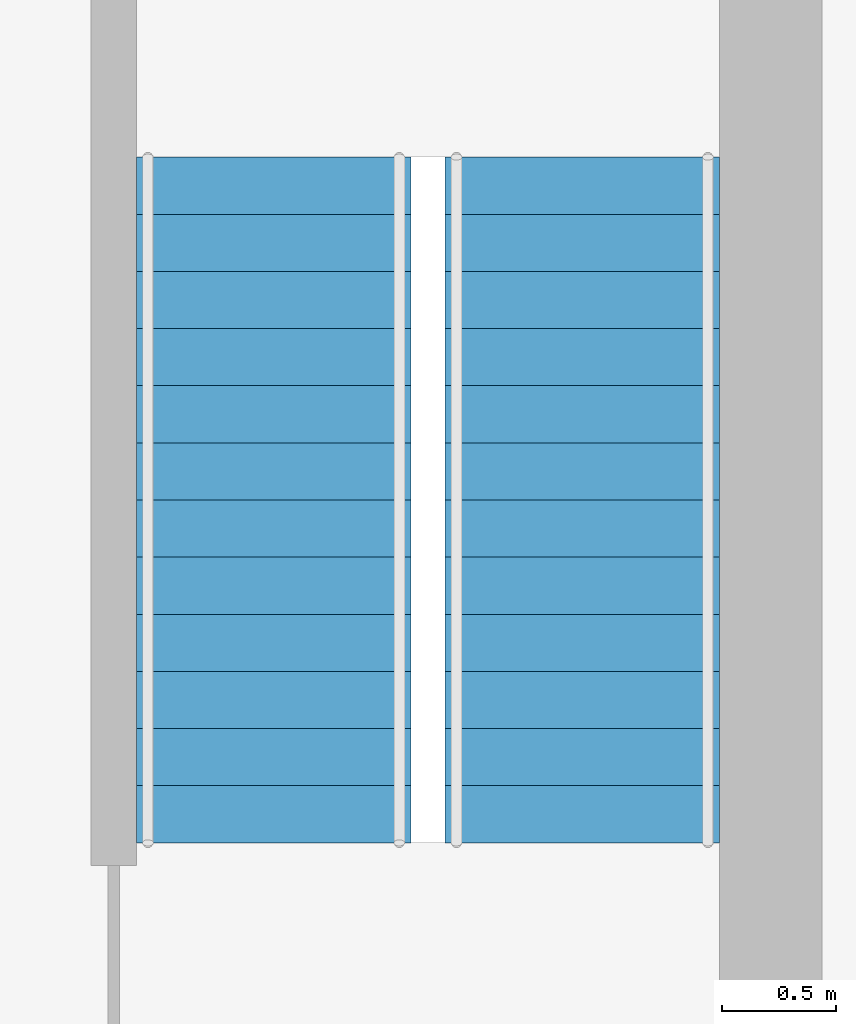
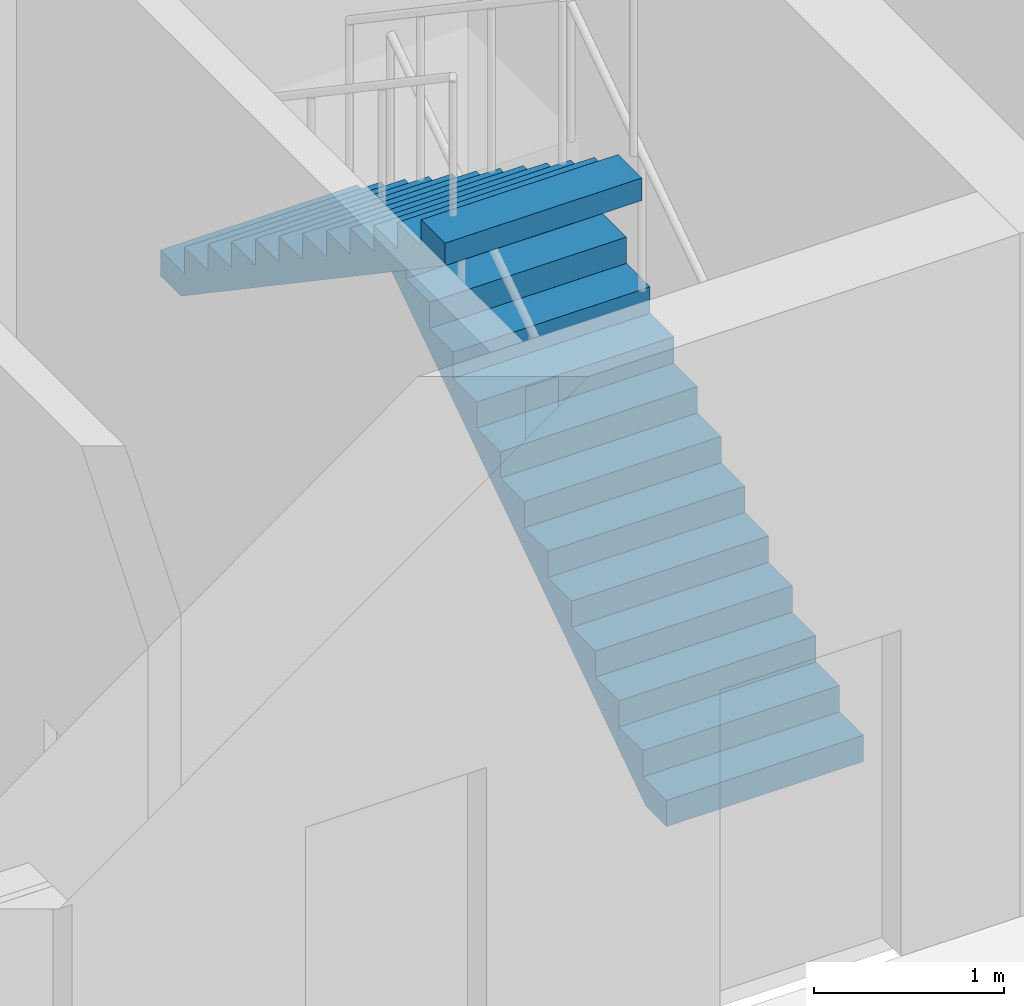
# One storey, part 10 of 13: 2 stair flights, 1 element without a shape of its own.
"""IFC4 building model written with IfcOpenShell, lengths in metres."""

import ifcopenshell
import ifcopenshell.guid

model = None  # the IFC model being written
_history = None  # IfcOwnerHistory: only IFC2X3 demands one
_inside = {}  # id of a spatial element -> (the spatial element, [elements in it])
_under = {}  # id of a project, library or spatial element -> (it, [spatial elements below it])
_declared = {}  # id of a project -> (the project, [libraries it declares])
_typed = {}  # id of a type object -> (the type object, [elements of that type])
_made_of = {}  # id of a material, layer set ... -> (it, [elements and type objects made of it])


def new_model(schema):
    """Start an empty IFC model of exactly this schema.

    Asked for "IFC4X3", IfcOpenShell would pick the latest addendum, in which some entities
    have other attributes; the version numbers below select the first issue.
    IFC2X3 requires an IfcOwnerHistory on every rooted entity: one is made here for all.
    """
    global model, _history
    if schema == "IFC4X3":
        model = ifcopenshell.file(schema_version=(4, 3, 0, 0))
    else:
        model = ifcopenshell.file(schema=schema)
    _inside.clear()
    _under.clear()
    _declared.clear()
    _typed.clear()
    _made_of.clear()
    _history = None
    if model.schema == "IFC2X3":
        org = make("IfcOrganization", Name="unknown")
        user = make(
            "IfcPersonAndOrganization",
            ThePerson=make("IfcPerson", FamilyName="unknown"),
            TheOrganization=org,
        )
        app = make(
            "IfcApplication",
            ApplicationDeveloper=org,
            Version="unknown",
            ApplicationFullName="unknown",
            ApplicationIdentifier="unknown",
        )
        _history = make(
            "IfcOwnerHistory",
            OwningUser=user,
            OwningApplication=app,
            ChangeAction="ADDED",
            CreationDate=0,
        )
    return model


def make(cls, **values):
    """One entity of the class cls with the attributes given. An attribute that is None is left unset."""
    return model.create_entity(
        cls, **{name: value for name, value in values.items() if value is not None}
    )


def rooted(cls, **values):
    """An entity with a GlobalId (a new one), such as an element, a storey or a relation."""
    return make(cls, GlobalId=ifcopenshell.guid.new(), OwnerHistory=_history, **values)


def si_unit(unit_type, name, prefix=None):
    """IfcSIUnit, for example si_unit("LENGTHUNIT", "METRE", prefix="MILLI")."""
    return make("IfcSIUnit", UnitType=unit_type, Prefix=prefix, Name=name)


def assignment(units):
    """IfcUnitAssignment: the units of a project."""
    return None if units is None else make("IfcUnitAssignment", Units=units)


def point(xyz):
    """IfcCartesianPoint."""
    return None if xyz is None else make("IfcCartesianPoint", Coordinates=xyz)


def direction(xyz):
    """IfcDirection."""
    return None if xyz is None else make("IfcDirection", DirectionRatios=xyz)


def frame(location, z_axis=None, x_axis=None):
    """IfcAxis2Placement3D, a coordinate frame: its origin and axes. An axis left out is left unset."""
    return make(
        "IfcAxis2Placement3D",
        Location=point(location),
        Axis=direction(z_axis),
        RefDirection=direction(x_axis),
    )


def origin():
    """The frame at (0, 0, 0) with its axes left unset."""
    return frame((0.0, 0.0, 0.0))


def place(relative_to, where):
    """IfcLocalPlacement: puts the frame where relative to a parent placement (None: the world)."""
    return make(
        "IfcLocalPlacement", PlacementRelTo=relative_to, RelativePlacement=where
    )


def context(
    kind, dimensions, precision=None, world=None, true_north=None, identifier=None
):
    """IfcGeometricRepresentationContext, for example the 3D "Model" context."""
    return make(
        "IfcGeometricRepresentationContext",
        ContextIdentifier=identifier,
        ContextType=kind,
        CoordinateSpaceDimension=dimensions,
        Precision=precision,
        WorldCoordinateSystem=world,
        TrueNorth=true_north,
    )


def subcontext(parent, identifier, kind, view, scale=None):
    """IfcGeometricRepresentationSubContext, for example "Body" below "Model"."""
    return make(
        "IfcGeometricRepresentationSubContext",
        ContextIdentifier=identifier,
        ContextType=kind,
        ParentContext=parent,
        TargetScale=scale,
        TargetView=view,
    )


def project(units=None, contexts=None):
    """IfcProject with its units and contexts."""
    return rooted(
        "IfcProject",
        Name="project",
        RepresentationContexts=contexts,
        UnitsInContext=assignment(units),
    )


def spatial(cls, under=None, at=None, **own):
    """A site, building, storey or space (cls), placed at a placement, below another one or the project."""
    s = rooted(cls, ObjectPlacement=at, **own)
    if under is not None:
        _under.setdefault(under.id(), (under, []))[1].append(s)
    return s


def polyline(points):
    """IfcPolyline through the points."""
    return make("IfcPolyline", Points=[point(p) for p in points])


def outline(outer, holes=None, kind="AREA"):
    """IfcArbitraryClosedProfileDef: a profile drawn as a closed curve; with holes, ...WithVoids."""
    if holes is None:
        return make("IfcArbitraryClosedProfileDef", ProfileType=kind, OuterCurve=outer)
    return make(
        "IfcArbitraryProfileDefWithVoids",
        ProfileType=kind,
        OuterCurve=outer,
        InnerCurves=holes,
    )


def extrude(swept, where, along, depth):
    """IfcExtrudedAreaSolid: the profile swept, set in the frame where, extruded along a direction by depth."""
    return make(
        "IfcExtrudedAreaSolid",
        SweptArea=swept,
        Position=where,
        ExtrudedDirection=direction(along),
        Depth=depth,
    )


def shape(context_of_items, identifier, shape_type, items):
    """IfcShapeRepresentation: the items that make up one representation, for example the "Body"."""
    return make(
        "IfcShapeRepresentation",
        ContextOfItems=context_of_items,
        RepresentationIdentifier=identifier,
        RepresentationType=shape_type,
        Items=items,
    )


def material(Name=None, Category=None):
    """IfcMaterial."""
    return make("IfcMaterial", Name=Name, Category=Category)


def made_of(thing, what):
    """Note that an element or type object is made of a material, layer set ...; save() writes the relation."""
    if what is not None:
        _made_of.setdefault(what.id(), (what, []))[1].append(thing)
    return thing


def type_object(cls, material=None, **own):
    """A type object (cls), such as IfcWallType, which elements share."""
    return made_of(rooted(cls, **own), material)


def element(
    cls,
    number,
    at=None,
    inside=None,
    cuts=None,
    type_object=None,
    material=None,
    context=None,
    identifier="Body",
    shape_type=None,
    held_by="IfcProductDefinitionShape",
    body=None,
    shapes=None,
    **own,
):
    """One element of the class cls, such as IfcWall. Its Tag is "e" and its number.

    at: its placement. inside: the storey or other place that contains it. cuts: it is an
    opening in that element (IfcRelVoidsElement). A single representation is given by context,
    identifier, shape_type and body (its items); several are given by shapes. held_by: the class
    of the entity that holds the representations. save() writes the other relations.
    """
    e = rooted(cls, Tag="e%d" % number, ObjectPlacement=at, **own)
    if body is not None:
        shapes = [shape(context, identifier, shape_type, body)]
    if shapes is not None:
        e.Representation = make(held_by, Representations=shapes)
    if inside is not None:
        _inside.setdefault(inside.id(), (inside, []))[1].append(e)
    if cuts is not None:
        rooted(
            "IfcRelVoidsElement", RelatingBuildingElement=cuts, RelatedOpeningElement=e
        )
    if type_object is not None:
        _typed.setdefault(type_object.id(), (type_object, []))[1].append(e)
    return made_of(e, material)


def aggregate(whole, parts):
    """IfcRelAggregates: a whole, such as a stair, and the parts it consists of."""
    return rooted("IfcRelAggregates", RelatingObject=whole, RelatedObjects=parts)


def save(model, path):
    """Write the relations noted so far, then the file.

    IfcRelAggregates (storeys below a building ...), IfcRelContainedInSpatialStructure (elements
    in a storey), IfcRelDefinesByType, IfcRelAssociatesMaterial and IfcRelDeclares: one each for
    every whole, place, type object, material and project.
    """
    for whole, parts in _under.values():
        aggregate(whole, parts)
    for where, things in _inside.values():
        rooted(
            "IfcRelContainedInSpatialStructure",
            RelatedElements=things,
            RelatingStructure=where,
        )
    for kind, things in _typed.values():
        rooted("IfcRelDefinesByType", RelatedObjects=things, RelatingType=kind)
    for what, things in _made_of.values():
        rooted("IfcRelAssociatesMaterial", RelatedObjects=things, RelatingMaterial=what)
    for by, libraries in _declared.values():
        rooted("IfcRelDeclares", RelatingContext=by, RelatedDefinitions=libraries)
    model.write(path)


model = new_model("IFC4")

# Units and contexts
model_context = context("Model", 3, precision=1e-05, world=origin(), true_north=direction((0.0, 1.0)))
body_context = subcontext(model_context, "Body", "Model", "MODEL_VIEW")
ifc_project = project(units=[si_unit("LENGTHUNIT", "METRE"), si_unit("AREAUNIT", "SQUARE_METRE"), si_unit("VOLUMEUNIT", "CUBIC_METRE"), si_unit("PLANEANGLEUNIT", "RADIAN"), si_unit("MASSUNIT", "GRAM", prefix="KILO")], contexts=[model_context])

# Site, building, storey
site_placement = place(None, origin())
site = spatial("IfcSite", under=ifc_project, at=site_placement, CompositionType="ELEMENT")
building_placement = place(site_placement, origin())
building = spatial("IfcBuilding", under=site, at=building_placement, Name="Girih Gate Residences", CompositionType="ELEMENT")
storey_placement = place(building_placement, frame((0.0, 0.0, 150.60009765625)))
storey = spatial("IfcBuildingStorey", under=building, at=storey_placement, Name="L42", CompositionType="ELEMENT", Elevation=150.60009765625)

# Stair, stair flights
ifc_material = material(Name="Concrete C40/50", Category="concrete")
stair_type = type_object("IfcStairType", Name="Exit stair", PredefinedType="HALF_TURN_STAIR", material=ifc_material)
stair_placement = place(storey_placement, origin())
stair = element("IfcStair", 1, at=stair_placement, inside=storey, type_object=stair_type, Name="L42 Exit Stair ST-E1", PredefinedType="HALF_TURN_STAIR")
stair_flight_type = type_object("IfcStairFlightType", Name="Stair flight 1200", PredefinedType="STRAIGHT", material=ifc_material)
stair_flight_1_placement = place(storey_placement, frame((43.699951171875, 28.89990234375, 0.0), z_axis=(0.0, 0.0, 1.0), x_axis=(0.0, 1.0, 0.0)))
stair_flight_1 = element("IfcStairFlight", 2, at=stair_flight_1_placement, type_object=stair_flight_type, Name="ST-E1 flight 1", NumberOfRisers=13, NumberOfTreads=12, PredefinedType="STRAIGHT", RiserHeight=0.169230769, TreadLength=0.25, context=body_context, shape_type="SweptSolid", body=[
    extrude(outline(polyline([(0.0, 0.0), (0.0, 0.169189453125), (0.25, 0.169189453125), (0.25, 0.33837890625), (0.5, 0.33837890625), (0.5, 0.5078125), (0.75, 0.5078125), (0.75, 0.677001953125), (1.0, 0.677001953125), (1.0, 0.84619140625), (1.25, 0.84619140625), (1.25, 1.015380859375), (1.5, 1.015380859375), (1.5, 1.1845703125), (1.75, 1.1845703125), (1.75, 1.353759765625), (2.0, 1.353759765625), (2.0, 1.523193359375), (2.25, 1.523193359375), (2.25, 1.6923828125), (2.5, 1.6923828125), (2.5, 1.861572265625), (2.75, 1.861572265625), (2.75, 2.03076171875), (3.0, 2.03076171875), (3.0, 2.199951171875), (3.0, 1.8857421875), (0.21435546875, 0.0), (0.0, 0.0)])), frame((0.0, 0.60009765625, 0.0), z_axis=(0.0, -1.0, 0.0), x_axis=(1.0, 0.0, 0.0)), (0.0, 0.0, 1.0), 1.199951171875),
])
stair_flight_2_placement = place(storey_placement, frame((42.35009765625, 31.89990234375, 2.199951171875), z_axis=(0.0, 0.0, 1.0), x_axis=(0.0, -1.0, 0.0)))
stair_flight_2 = element("IfcStairFlight", 3, at=stair_flight_2_placement, type_object=stair_flight_type, Name="ST-E1 flight 2", NumberOfRisers=13, NumberOfTreads=12, PredefinedType="STRAIGHT", RiserHeight=0.169230769, TreadLength=0.25, context=body_context, shape_type="SweptSolid", body=[
    extrude(outline(polyline([(0.0, 0.0), (0.0, 0.169189453125), (0.25, 0.169189453125), (0.25, 0.33837890625), (0.5, 0.33837890625), (0.5, 0.5078125), (0.75, 0.5078125), (0.75, 0.677001953125), (1.0, 0.677001953125), (1.0, 0.84619140625), (1.25, 0.84619140625), (1.25, 1.015380859375), (1.5, 1.015380859375), (1.5, 1.1845703125), (1.75, 1.1845703125), (1.75, 1.353759765625), (2.0, 1.353759765625), (2.0, 1.523193359375), (2.25, 1.523193359375), (2.25, 1.6923828125), (2.5, 1.6923828125), (2.5, 1.861572265625), (2.75, 1.861572265625), (2.75, 2.03076171875), (3.0, 2.03076171875), (3.0, 2.199951171875), (3.0, 1.8857421875), (0.21435546875, 0.0), (0.0, 0.0)])), frame((0.0, 0.60009765625, 0.0), z_axis=(0.0, -1.0, 0.0), x_axis=(1.0, 0.0, 0.0)), (0.0, 0.0, 1.0), 1.199951171875),
])
aggregate(stair, [stair_flight_1, stair_flight_2])

save(model, "model.ifc")
